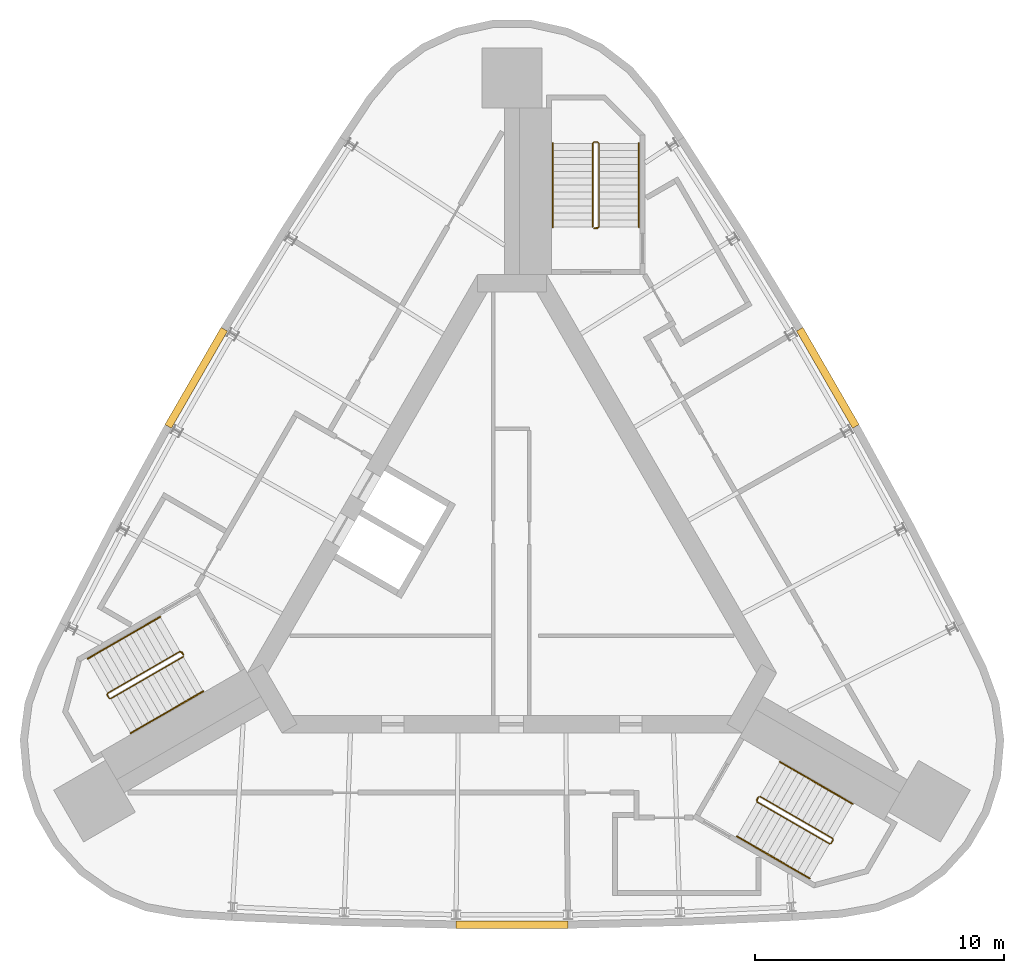
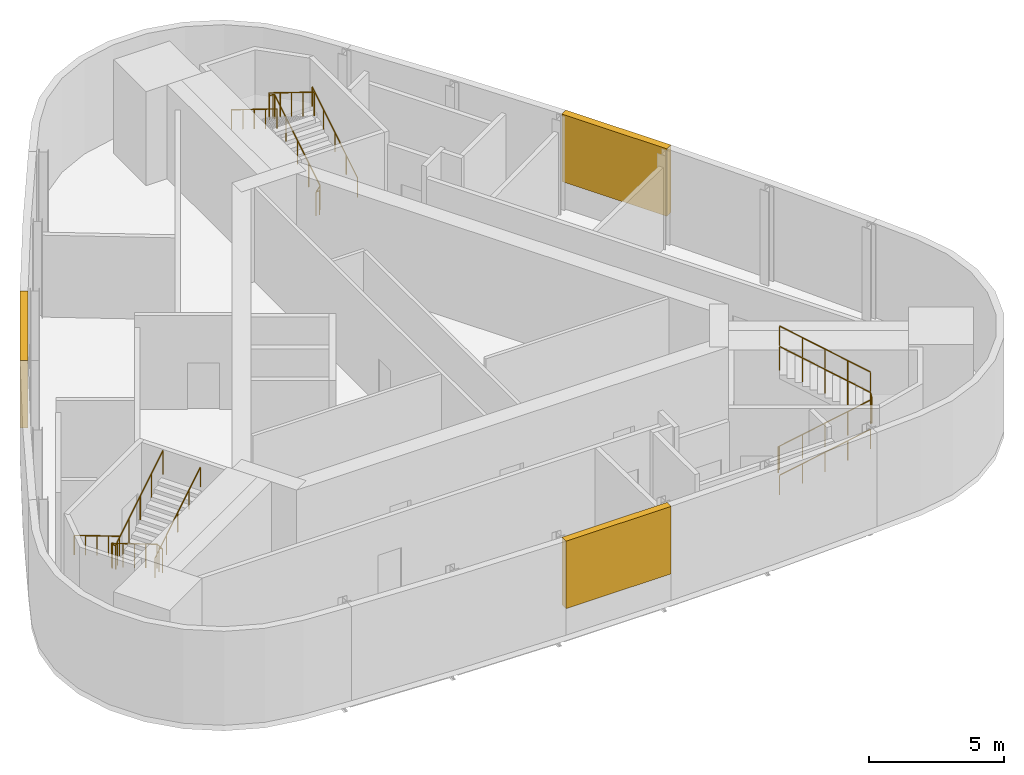
# One storey, part 7 of 7: 9 railings, 3 shading devices.
"""IFC4 building model written with IfcOpenShell, lengths in metres."""

from ifc_helpers import new_model, si_unit, direction, frame, origin, origin_2d, place, context, subcontext, project, spatial, polyline, circle, outline, extrude, material, type_object, element, save


model = new_model("IFC4")

# Units and contexts
model_context = context("Model", 3, precision=1e-05, world=origin(), true_north=direction((0.0, 1.0)))
body_context = subcontext(model_context, "Body", "Model", "MODEL_VIEW")
ifc_project = project(units=[si_unit("LENGTHUNIT", "METRE"), si_unit("AREAUNIT", "SQUARE_METRE"), si_unit("VOLUMEUNIT", "CUBIC_METRE"), si_unit("PLANEANGLEUNIT", "RADIAN"), si_unit("MASSUNIT", "GRAM", prefix="KILO")], contexts=[model_context])

# Site, building, storey
site_placement = place(None, origin())
site = spatial("IfcSite", under=ifc_project, at=site_placement, CompositionType="ELEMENT")
building_placement = place(site_placement, origin())
building = spatial("IfcBuilding", under=site, at=building_placement, Name="Noor Cloister Tower", CompositionType="ELEMENT")
storey_placement = place(building_placement, frame((0.0, 0.0, 302.10009765625)))
storey = spatial("IfcBuildingStorey", under=building, at=storey_placement, Name="L76", CompositionType="ELEMENT", Elevation=302.10009765625)

# Shading devices
ifc_material_1 = material(Name="Aluminium 6063-T6 anodised", Category="aluminium")
shading_device_type = type_object("IfcShadingDeviceType", Name="LOUVRE crown plant air 40 percent free", PredefinedType="USERDEFINED", material=ifc_material_1)
shading_device_1_placement = place(storey_placement, frame((0.0, 0.0, 1.199951171875)))
element("IfcShadingDevice", 1, at=shading_device_1_placement, inside=storey, type_object=shading_device_type, Name="LOUVRE L76 1", ObjectType="LOUVRE", PredefinedType="USERDEFINED", context=body_context, shape_type="SweptSolid", body=[
    extrude(outline(polyline([(-11.669189453125, 9.335205078125), (-13.919189453125, 5.438232421875), (-13.659423828125, 5.288330078125), (-11.409423828125, 9.185302734375), (-11.669189453125, 9.335205078125)])), origin(), (0.0, 0.0, 1.0), 3.050048828125),
])
shading_device_2_placement = place(storey_placement, frame((0.0, 0.0, 1.199951171875)))
element("IfcShadingDevice", 2, at=shading_device_2_placement, inside=storey, type_object=shading_device_type, Name="LOUVRE L76 2", ObjectType="LOUVRE", PredefinedType="USERDEFINED", context=body_context, shape_type="SweptSolid", body=[
    extrude(outline(polyline([(-2.25, -14.7734375), (2.25, -14.7734375), (2.25, -14.473388671875), (-2.25, -14.473388671875), (-2.25, -14.7734375)])), origin(), (0.0, 0.0, 1.0), 3.050048828125),
])
shading_device_3_placement = place(storey_placement, frame((0.0, 0.0, 1.199951171875)))
element("IfcShadingDevice", 3, at=shading_device_3_placement, inside=storey, type_object=shading_device_type, Name="LOUVRE L76 3", ObjectType="LOUVRE", PredefinedType="USERDEFINED", context=body_context, shape_type="SweptSolid", body=[
    extrude(outline(polyline([(13.919189453125, 5.438232421875), (11.669189453125, 9.335205078125), (11.409423828125, 9.185302734375), (13.659423828125, 5.288330078125), (13.919189453125, 5.438232421875)])), origin(), (0.0, 0.0, 1.0), 3.050048828125),
])

# Railings
ifc_material_2 = material(Name="Stainless steel", Category="steel")
railing_type_1 = type_object("IfcRailingType", Name="Stair guard 1100", PredefinedType="GUARDRAIL", material=ifc_material_2)
railing_1_placement = place(storey_placement, frame((3.435546875, 13.306396484375, 0.0)))
element("IfcRailing", 4, at=railing_1_placement, inside=storey, type_object=railing_type_1, Name="Stair guard ST1 L76", PredefinedType="GUARDRAIL", context=body_context, shape_type="SweptSolid", body=[
    extrude(circle(Radius=0.02392578125, at=origin_2d()), frame((0.0, 0.0, 1.076171875), z_axis=(-1.0, 0.0, 0.0), x_axis=(0.0, -1.0, 0.0)), (0.0, 0.0, 1.0), 0.14990234375),
    extrude(circle(Radius=0.02392578125, at=origin_2d()), frame((-0.14990234375, 0.0, 1.076171875), z_axis=(0.742869136974, 0.185944045274, 0.643094283413), x_axis=(-0.242814311512, 0.970072785993, 0.0)), (0.0, 0.0, 1.0), 0.26904296875),
    extrude(circle(Radius=0.02392578125, at=origin_2d()), frame((0.050048828125, 0.050048828125, 1.2490234375), z_axis=(0.0, 0.850606129759, 0.525803396734), x_axis=(-1.0, 0.0, 0.0)), (0.0, 0.0, 1.0), 3.949951171875),
    extrude(circle(Radius=0.02392578125, at=origin_2d()), frame((0.050048828125, 3.409912109375, 3.326171875), z_axis=(-0.707106781187, 0.707106781187, 0.0), x_axis=(-0.707106781187, -0.707106781187, 0.0)), (0.0, 0.0, 1.0), 0.07080078125),
    extrude(circle(Radius=0.02392578125, at=origin_2d()), frame((0.0, 3.4599609375, 3.326171875), z_axis=(-1.0, 0.0, 0.0), x_axis=(0.0, -1.0, 0.0)), (0.0, 0.0, 1.0), 0.14990234375),
    extrude(circle(Radius=0.02392578125, at=origin_2d()), frame((-0.14990234375, 3.4599609375, 3.326171875), z_axis=(-0.267629722418, -0.267629722418, 0.925607186314), x_axis=(0.707106781187, -0.707106781187, 0.0)), (0.0, 0.0, 1.0), 0.18701171875),
    extrude(circle(Radius=0.02392578125, at=origin_2d()), frame((-0.199951171875, 3.409912109375, 3.4990234375), z_axis=(0.0, -0.850606129759, 0.525803396734), x_axis=(1.0, 0.0, 0.0)), (0.0, 0.0, 1.0), 3.949951171875),
    extrude(circle(Radius=0.02099609375, at=origin_2d()), origin(), (0.0, 0.0, 1.0), 1.052001953125),
    extrude(circle(Radius=0.02099609375, at=origin_2d()), frame((-0.14990234375, 0.0, 0.0)), (0.0, 0.0, 1.0), 1.052001953125),
    extrude(circle(Radius=0.02099609375, at=origin_2d()), frame((0.050048828125, 0.050048828125, 0.173095703125)), (0.0, 0.0, 1.0), 1.052001953125),
    extrude(circle(Radius=0.02099609375, at=origin_2d()), frame((0.050048828125, 0.89013671875, 0.6923828125)), (0.0, 0.0, 1.0), 1.052001953125),
    extrude(circle(Radius=0.02099609375, at=origin_2d()), frame((0.050048828125, 1.72998046875, 1.21142578125)), (0.0, 0.0, 1.0), 1.052001953125),
    extrude(circle(Radius=0.02099609375, at=origin_2d()), frame((0.050048828125, 2.56982421875, 1.730712890625)), (0.0, 0.0, 1.0), 1.052001953125),
    extrude(circle(Radius=0.02099609375, at=origin_2d()), frame((0.050048828125, 3.409912109375, 2.25)), (0.0, 0.0, 1.0), 1.052001953125),
    extrude(circle(Radius=0.02099609375, at=origin_2d()), frame((0.0, 3.4599609375, 2.25)), (0.0, 0.0, 1.0), 1.052001953125),
    extrude(circle(Radius=0.02099609375, at=origin_2d()), frame((-0.14990234375, 3.4599609375, 2.25)), (0.0, 0.0, 1.0), 1.052001953125),
    extrude(circle(Radius=0.02099609375, at=origin_2d()), frame((-0.199951171875, 3.409912109375, 2.423095703125)), (0.0, 0.0, 1.0), 1.052001953125),
    extrude(circle(Radius=0.02099609375, at=origin_2d()), frame((-0.199951171875, 2.56982421875, 2.9423828125)), (0.0, 0.0, 1.0), 1.052001953125),
    extrude(circle(Radius=0.02099609375, at=origin_2d()), frame((-0.199951171875, 1.72998046875, 3.46142578125)), (0.0, 0.0, 1.0), 1.052001953125),
    extrude(circle(Radius=0.02099609375, at=origin_2d()), frame((-0.199951171875, 0.89013671875, 3.980712890625)), (0.0, 0.0, 1.0), 1.052001953125),
    extrude(circle(Radius=0.02099609375, at=origin_2d()), frame((-0.199951171875, 0.050048828125, 4.5)), (0.0, 0.0, 1.0), 1.052001953125),
])
railing_2_placement = place(storey_placement, frame((-13.241455078125, -3.677734375, 0.0)))
element("IfcRailing", 5, at=railing_2_placement, inside=storey, type_object=railing_type_1, Name="Stair guard ST2 L76", PredefinedType="GUARDRAIL", context=body_context, shape_type="SweptSolid", body=[
    extrude(circle(Radius=0.02392578125, at=origin_2d()), frame((0.0, 0.0, 1.076171875), z_axis=(0.499112439033, -0.866537231285, 0.0), x_axis=(0.866537231285, 0.499112439033, 0.0)), (0.0, 0.0, 1.0), 0.150146484375),
    extrude(circle(Radius=0.02392578125, at=origin_2d()), frame((0.074951171875, -0.130126953125, 1.076171875), z_axis=(-0.532384093884, 0.550523245294, 0.643032917485), x_axis=(-0.718850276695, -0.695164929852, 0.0)), (0.0, 0.0, 1.0), 0.269287109375),
    extrude(circle(Radius=0.02392578125, at=origin_2d()), frame((-0.068359375, 0.01806640625, 1.2490234375), z_axis=(-0.736667954249, -0.425288379326, 0.525785240943), x_axis=(0.499976138585, -0.866039179741, 0.0)), (0.0, 0.0, 1.0), 3.9501953125),
    extrude(circle(Radius=0.02392578125, at=origin_2d()), frame((-2.978271484375, -1.661865234375, 3.326171875), z_axis=(-0.258736085224, -0.965948051503, 0.0), x_axis=(0.965948051503, -0.258736085224, 0.0)), (0.0, 0.0, 1.0), 0.07080078125),
    extrude(circle(Radius=0.02392578125, at=origin_2d()), frame((-2.99658203125, -1.730224609375, 3.326171875), z_axis=(0.501036270542, -0.865426285481, 0.0), x_axis=(0.865426285481, 0.501036270542, 0.0)), (0.0, 0.0, 1.0), 0.150146484375),
    extrude(circle(Radius=0.02392578125, at=origin_2d()), frame((-2.92138671875, -1.860107421875, 3.326171875), z_axis=(0.364418931161, -0.097962078269, 0.926068179905), x_axis=(0.259601060869, 0.965715946433, 0.0)), (0.0, 0.0, 1.0), 0.18701171875),
    extrude(circle(Radius=0.02392578125, at=origin_2d()), frame((-2.853271484375, -1.87841796875, 3.4990234375), z_axis=(0.736648589954, 0.42533900462, 0.52577141998), x_axis=(-0.500030632641, 0.866007717299, 0.0)), (0.0, 0.0, 1.0), 3.9501953125),
    extrude(circle(Radius=0.02099609375, at=origin_2d()), origin(), (0.0, 0.0, 1.0), 1.052001953125),
    extrude(circle(Radius=0.02099609375, at=origin_2d()), frame((0.074951171875, -0.130126953125, 0.0)), (0.0, 0.0, 1.0), 1.052001953125),
    extrude(circle(Radius=0.02099609375, at=origin_2d()), frame((-0.068359375, 0.01806640625, 0.173095703125)), (0.0, 0.0, 1.0), 1.052001953125),
    extrude(circle(Radius=0.02099609375, at=origin_2d()), frame((-0.7958984375, -0.40185546875, 0.6923828125)), (0.0, 0.0, 1.0), 1.052001953125),
    extrude(circle(Radius=0.02099609375, at=origin_2d()), frame((-1.5234375, -0.82177734375, 1.21142578125)), (0.0, 0.0, 1.0), 1.052001953125),
    extrude(circle(Radius=0.02099609375, at=origin_2d()), frame((-2.250732421875, -1.241943359375, 1.730712890625)), (0.0, 0.0, 1.0), 1.052001953125),
    extrude(circle(Radius=0.02099609375, at=origin_2d()), frame((-2.978271484375, -1.661865234375, 2.25)), (0.0, 0.0, 1.0), 1.052001953125),
    extrude(circle(Radius=0.02099609375, at=origin_2d()), frame((-2.99658203125, -1.730224609375, 2.25)), (0.0, 0.0, 1.0), 1.052001953125),
    extrude(circle(Radius=0.02099609375, at=origin_2d()), frame((-2.92138671875, -1.860107421875, 2.25)), (0.0, 0.0, 1.0), 1.052001953125),
    extrude(circle(Radius=0.02099609375, at=origin_2d()), frame((-2.853271484375, -1.87841796875, 2.423095703125)), (0.0, 0.0, 1.0), 1.052001953125),
    extrude(circle(Radius=0.02099609375, at=origin_2d()), frame((-2.125732421875, -1.45849609375, 2.9423828125)), (0.0, 0.0, 1.0), 1.052001953125),
    extrude(circle(Radius=0.02099609375, at=origin_2d()), frame((-1.3984375, -1.038330078125, 3.46142578125)), (0.0, 0.0, 1.0), 1.052001953125),
    extrude(circle(Radius=0.02099609375, at=origin_2d()), frame((-0.6708984375, -0.6181640625, 3.980712890625)), (0.0, 0.0, 1.0), 1.052001953125),
    extrude(circle(Radius=0.02099609375, at=origin_2d()), frame((0.056640625, -0.1982421875, 4.5)), (0.0, 0.0, 1.0), 1.052001953125),
])
railing_3_placement = place(storey_placement, frame((9.805908203125, -9.628662109375, 0.0)))
element("IfcRailing", 6, at=railing_3_placement, inside=storey, type_object=railing_type_1, Name="Stair guard ST3 L76", PredefinedType="GUARDRAIL", context=body_context, shape_type="SweptSolid", body=[
    extrude(circle(Radius=0.02392578125, at=origin_2d()), frame((0.0, 0.0, 1.076171875), z_axis=(0.499112439033, 0.866537231285, 0.0), x_axis=(-0.866537231285, 0.499112439033, 0.0)), (0.0, 0.0, 1.0), 0.150146484375),
    extrude(circle(Radius=0.02392578125, at=origin_2d()), frame((0.074951171875, 0.130126953125, 1.076171875), z_axis=(-0.210401176497, -0.736404117741, 0.642993250589), x_axis=(0.961523947641, -0.274721127897, 0.0)), (0.0, 0.0, 1.0), 0.269287109375),
    extrude(circle(Radius=0.02392578125, at=origin_2d()), frame((0.018310546875, -0.068115234375, 1.2490234375), z_axis=(0.736648589954, -0.42533900462, 0.52577141998), x_axis=(0.500030632641, 0.866007717299, 0.0)), (0.0, 0.0, 1.0), 3.9501953125),
    extrude(circle(Radius=0.02392578125, at=origin_2d()), frame((2.92822265625, -1.748291015625, 3.326171875), z_axis=(0.965715946433, 0.259601060869, 0.0), x_axis=(-0.259601060869, 0.965715946433, 0.0)), (0.0, 0.0, 1.0), 0.070556640625),
    extrude(circle(Radius=0.02392578125, at=origin_2d()), frame((2.996337890625, -1.72998046875, 3.326171875), z_axis=(0.499816412211, 0.866131372301, 0.0), x_axis=(-0.866131372301, 0.499816412211, 0.0)), (0.0, 0.0, 1.0), 0.14990234375),
    extrude(circle(Radius=0.02392578125, at=origin_2d()), frame((3.0712890625, -1.60009765625, 3.326171875), z_axis=(-0.096622130353, 0.365597249983, 0.925744465136), x_axis=(-0.966805641264, -0.255512919477, 0.0)), (0.0, 0.0, 1.0), 0.18701171875),
    extrude(circle(Radius=0.02392578125, at=origin_2d()), frame((3.05322265625, -1.53173828125, 3.4990234375), z_axis=(-0.736667954249, 0.425288379326, 0.525785240943), x_axis=(-0.499976138585, -0.866039179741, 0.0)), (0.0, 0.0, 1.0), 3.9501953125),
    extrude(circle(Radius=0.02099609375, at=origin_2d()), origin(), (0.0, 0.0, 1.0), 1.052001953125),
    extrude(circle(Radius=0.02099609375, at=origin_2d()), frame((0.074951171875, 0.130126953125, 0.0)), (0.0, 0.0, 1.0), 1.052001953125),
    extrude(circle(Radius=0.02099609375, at=origin_2d()), frame((0.018310546875, -0.068115234375, 0.173095703125)), (0.0, 0.0, 1.0), 1.052001953125),
    extrude(circle(Radius=0.02099609375, at=origin_2d()), frame((0.745849609375, -0.48828125, 0.6923828125)), (0.0, 0.0, 1.0), 1.052001953125),
    extrude(circle(Radius=0.02099609375, at=origin_2d()), frame((1.47314453125, -0.908203125, 1.21142578125)), (0.0, 0.0, 1.0), 1.052001953125),
    extrude(circle(Radius=0.02099609375, at=origin_2d()), frame((2.20068359375, -1.328125, 1.730712890625)), (0.0, 0.0, 1.0), 1.052001953125),
    extrude(circle(Radius=0.02099609375, at=origin_2d()), frame((2.92822265625, -1.748291015625, 2.25)), (0.0, 0.0, 1.0), 1.052001953125),
    extrude(circle(Radius=0.02099609375, at=origin_2d()), frame((2.996337890625, -1.72998046875, 2.25)), (0.0, 0.0, 1.0), 1.052001953125),
    extrude(circle(Radius=0.02099609375, at=origin_2d()), frame((3.0712890625, -1.60009765625, 2.25)), (0.0, 0.0, 1.0), 1.052001953125),
    extrude(circle(Radius=0.02099609375, at=origin_2d()), frame((3.05322265625, -1.53173828125, 2.423095703125)), (0.0, 0.0, 1.0), 1.052001953125),
    extrude(circle(Radius=0.02099609375, at=origin_2d()), frame((2.32568359375, -1.11181640625, 2.9423828125)), (0.0, 0.0, 1.0), 1.052001953125),
    extrude(circle(Radius=0.02099609375, at=origin_2d()), frame((1.59814453125, -0.69189453125, 3.46142578125)), (0.0, 0.0, 1.0), 1.052001953125),
    extrude(circle(Radius=0.02099609375, at=origin_2d()), frame((0.870849609375, -0.271728515625, 3.980712890625)), (0.0, 0.0, 1.0), 1.052001953125),
    extrude(circle(Radius=0.02099609375, at=origin_2d()), frame((0.143310546875, 0.148193359375, 4.5)), (0.0, 0.0, 1.0), 1.052001953125),
])
ifc_material_3 = material(Name="Stainless steel", Category="steel")
railing_type_2 = type_object("IfcRailingType", Name="Stair handrail 900", PredefinedType="HANDRAIL", material=ifc_material_3)
railing_4_placement = place(storey_placement, frame((5.085693359375, 13.3564453125, 0.173095703125)))
element("IfcRailing", 7, at=railing_4_placement, inside=storey, type_object=railing_type_2, Name="Stair handrail ST1 L76 1", PredefinedType="HANDRAIL", context=body_context, shape_type="SweptSolid", body=[
    extrude(circle(Radius=0.02392578125, at=origin_2d()), frame((0.0, 0.0, 0.8759765625), z_axis=(0.0, 0.850606129759, 0.525803396734), x_axis=(-1.0, 0.0, 0.0)), (0.0, 0.0, 1.0), 3.949951171875),
    extrude(circle(Radius=0.02099609375, at=origin_2d()), origin(), (0.0, 0.0, 1.0), 0.851806640625),
    extrude(circle(Radius=0.02099609375, at=origin_2d()), frame((0.0, 0.83984375, 0.519287109375)), (0.0, 0.0, 1.0), 0.851806640625),
    extrude(circle(Radius=0.02099609375, at=origin_2d()), frame((0.0, 1.679931640625, 1.03857421875)), (0.0, 0.0, 1.0), 0.851806640625),
    extrude(circle(Radius=0.02099609375, at=origin_2d()), frame((0.0, 2.52001953125, 1.5576171875)), (0.0, 0.0, 1.0), 0.851806640625),
    extrude(circle(Radius=0.02099609375, at=origin_2d()), frame((0.0, 3.35986328125, 2.076904296875)), (0.0, 0.0, 1.0), 0.851806640625),
])
railing_5_placement = place(storey_placement, frame((1.6357421875, 16.71630859375, 2.423095703125)))
element("IfcRailing", 8, at=railing_5_placement, inside=storey, type_object=railing_type_2, Name="Stair handrail ST1 L76 2", PredefinedType="HANDRAIL", context=body_context, shape_type="SweptSolid", body=[
    extrude(circle(Radius=0.02392578125, at=origin_2d()), frame((0.0, 0.0, 0.8759765625), z_axis=(0.0, -0.850606129759, 0.525803396734), x_axis=(1.0, 0.0, 0.0)), (0.0, 0.0, 1.0), 3.949951171875),
    extrude(circle(Radius=0.02099609375, at=origin_2d()), origin(), (0.0, 0.0, 1.0), 0.851806640625),
    extrude(circle(Radius=0.02099609375, at=origin_2d()), frame((0.0, -0.83984375, 0.519287109375)), (0.0, 0.0, 1.0), 0.851806640625),
    extrude(circle(Radius=0.02099609375, at=origin_2d()), frame((0.0, -1.679931640625, 1.03857421875)), (0.0, 0.0, 1.0), 0.851806640625),
    extrude(circle(Radius=0.02099609375, at=origin_2d()), frame((0.0, -2.52001953125, 1.5576171875)), (0.0, 0.0, 1.0), 0.851806640625),
    extrude(circle(Radius=0.02099609375, at=origin_2d()), frame((0.0, -3.35986328125, 2.076904296875)), (0.0, 0.0, 1.0), 0.851806640625),
])
railing_6_placement = place(storey_placement, frame((-14.10986328125, -2.27392578125, 0.173095703125)))
element("IfcRailing", 9, at=railing_6_placement, inside=storey, type_object=railing_type_2, Name="Stair handrail ST2 L76 1", PredefinedType="HANDRAIL", context=body_context, shape_type="SweptSolid", body=[
    extrude(circle(Radius=0.02392578125, at=origin_2d()), frame((0.0, 0.0, 0.8759765625), z_axis=(-0.736639687092, -0.425307743487, 0.525809180911), x_axis=(0.500007602105, -0.866021014662, 0.0)), (0.0, 0.0, 1.0), 3.949951171875),
    extrude(circle(Radius=0.02099609375, at=origin_2d()), origin(), (0.0, 0.0, 1.0), 0.851806640625),
    extrude(circle(Radius=0.02099609375, at=origin_2d()), frame((-0.7275390625, -0.419921875, 0.519287109375)), (0.0, 0.0, 1.0), 0.851806640625),
    extrude(circle(Radius=0.02099609375, at=origin_2d()), frame((-1.454833984375, -0.83984375, 1.03857421875)), (0.0, 0.0, 1.0), 0.851806640625),
    extrude(circle(Radius=0.02099609375, at=origin_2d()), frame((-2.18212890625, -1.260009765625, 1.5576171875)), (0.0, 0.0, 1.0), 0.851806640625),
    extrude(circle(Radius=0.02099609375, at=origin_2d()), frame((-2.90966796875, -1.679931640625, 2.076904296875)), (0.0, 0.0, 1.0), 0.851806640625),
])
railing_7_placement = place(storey_placement, frame((-15.294677734375, -6.941650390625, 2.423095703125)))
element("IfcRailing", 10, at=railing_7_placement, inside=storey, type_object=railing_type_2, Name="Stair handrail ST2 L76 2", PredefinedType="HANDRAIL", context=body_context, shape_type="SweptSolid", body=[
    extrude(circle(Radius=0.02392578125, at=origin_2d()), frame((0.0, 0.0, 0.8759765625), z_axis=(0.736667954249, 0.425288379326, 0.525785240943), x_axis=(-0.499976138585, 0.866039179741, 0.0)), (0.0, 0.0, 1.0), 3.9501953125),
    extrude(circle(Radius=0.02099609375, at=origin_2d()), origin(), (0.0, 0.0, 1.0), 0.851806640625),
    extrude(circle(Radius=0.02099609375, at=origin_2d()), frame((0.7275390625, 0.419921875, 0.519287109375)), (0.0, 0.0, 1.0), 0.851806640625),
    extrude(circle(Radius=0.02099609375, at=origin_2d()), frame((1.455078125, 0.83984375, 1.03857421875)), (0.0, 0.0, 1.0), 0.851806640625),
    extrude(circle(Radius=0.02099609375, at=origin_2d()), frame((2.182373046875, 1.260009765625, 1.5576171875)), (0.0, 0.0, 1.0), 0.851806640625),
    extrude(circle(Radius=0.02099609375, at=origin_2d()), frame((2.909912109375, 1.679931640625, 2.076904296875)), (0.0, 0.0, 1.0), 0.851806640625),
])
railing_8_placement = place(storey_placement, frame((9.024169921875, -11.08251953125, 0.173095703125)))
element("IfcRailing", 11, at=railing_8_placement, inside=storey, type_object=railing_type_2, Name="Stair handrail ST3 L76 1", PredefinedType="HANDRAIL", context=body_context, shape_type="SweptSolid", body=[
    extrude(circle(Radius=0.02392578125, at=origin_2d()), frame((0.0, 0.0, 0.8759765625), z_axis=(0.736667954249, -0.425288379326, 0.525785240943), x_axis=(0.499976138585, 0.866039179741, 0.0)), (0.0, 0.0, 1.0), 3.9501953125),
    extrude(circle(Radius=0.02099609375, at=origin_2d()), origin(), (0.0, 0.0, 1.0), 0.851806640625),
    extrude(circle(Radius=0.02099609375, at=origin_2d()), frame((0.7275390625, -0.419921875, 0.519287109375)), (0.0, 0.0, 1.0), 0.851806640625),
    extrude(circle(Radius=0.02099609375, at=origin_2d()), frame((1.455078125, -0.83984375, 1.03857421875)), (0.0, 0.0, 1.0), 0.851806640625),
    extrude(circle(Radius=0.02099609375, at=origin_2d()), frame((2.182373046875, -1.260009765625, 1.5576171875)), (0.0, 0.0, 1.0), 0.851806640625),
    extrude(circle(Radius=0.02099609375, at=origin_2d()), frame((2.909912109375, -1.679931640625, 2.076904296875)), (0.0, 0.0, 1.0), 0.851806640625),
])
railing_9_placement = place(storey_placement, frame((13.658935546875, -9.774658203125, 2.423095703125)))
element("IfcRailing", 12, at=railing_9_placement, inside=storey, type_object=railing_type_2, Name="Stair handrail ST3 L76 2", PredefinedType="HANDRAIL", context=body_context, shape_type="SweptSolid", body=[
    extrude(circle(Radius=0.02392578125, at=origin_2d()), frame((0.0, 0.0, 0.8759765625), z_axis=(-0.736639687092, 0.425307743487, 0.525809180911), x_axis=(-0.500007602105, -0.866021014662, 0.0)), (0.0, 0.0, 1.0), 3.949951171875),
    extrude(circle(Radius=0.02099609375, at=origin_2d()), origin(), (0.0, 0.0, 1.0), 0.851806640625),
    extrude(circle(Radius=0.02099609375, at=origin_2d()), frame((-0.7275390625, 0.419921875, 0.519287109375)), (0.0, 0.0, 1.0), 0.851806640625),
    extrude(circle(Radius=0.02099609375, at=origin_2d()), frame((-1.454833984375, 0.83984375, 1.03857421875)), (0.0, 0.0, 1.0), 0.851806640625),
    extrude(circle(Radius=0.02099609375, at=origin_2d()), frame((-2.18212890625, 1.260009765625, 1.5576171875)), (0.0, 0.0, 1.0), 0.851806640625),
    extrude(circle(Radius=0.02099609375, at=origin_2d()), frame((-2.90966796875, 1.679931640625, 2.076904296875)), (0.0, 0.0, 1.0), 0.851806640625),
])

save(model, "model.ifc")
